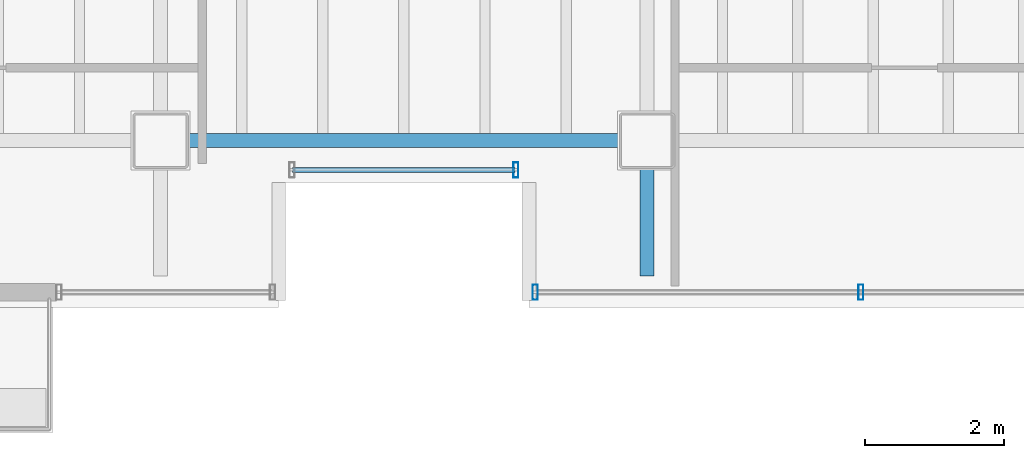
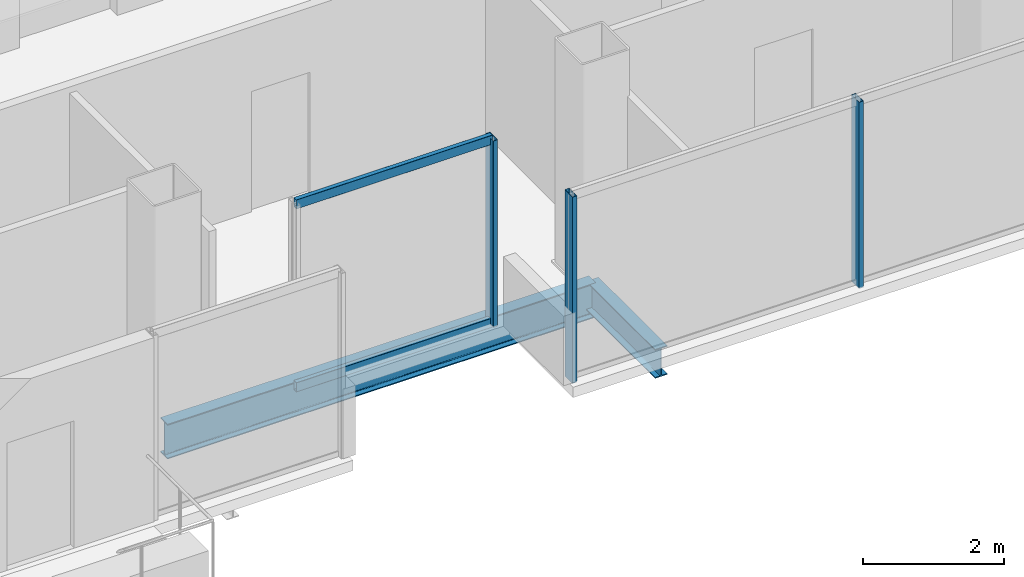
# One storey, part 5 of 16: 5 members, 2 beams, 2 elements without a shape of their own.
"""IFC4 building model written with IfcOpenShell, lengths in metres."""

from ifc_helpers import new_model, si_unit, direction, frame, origin, origin_2d, place, context, subcontext, project, spatial, hollow_rectangle, i_section, extrude, material, material_profile, profile_set, type_object, element, aggregate, save


model = new_model("IFC4")

# Units and contexts
model_context = context("Model", 3, precision=1e-05, world=origin(), true_north=direction((0.0, 1.0)))
body_context = subcontext(model_context, "Body", "Model", "MODEL_VIEW")
ifc_project = project(units=[si_unit("LENGTHUNIT", "METRE"), si_unit("AREAUNIT", "SQUARE_METRE"), si_unit("VOLUMEUNIT", "CUBIC_METRE"), si_unit("PLANEANGLEUNIT", "RADIAN"), si_unit("MASSUNIT", "GRAM", prefix="KILO")], contexts=[model_context])

# Site, building, storey
site_placement = place(None, origin())
site = spatial("IfcSite", under=ifc_project, at=site_placement, CompositionType="ELEMENT")
building_placement = place(site_placement, origin())
building = spatial("IfcBuilding", under=site, at=building_placement, Name="Noeulbin Bourse Tower", CompositionType="ELEMENT")
storey_placement = place(building_placement, frame((0.0, 0.0, 269.60009765625)))
storey = spatial("IfcBuildingStorey", under=building, at=storey_placement, Name="L67", CompositionType="ELEMENT", Elevation=269.60009765625)

# Beams
ifc_material_1 = material(Name="Steel S355", Category="steel")
ifc_material_profile_1 = material_profile(ifc_material_1, i_section(OverallWidth=0.199951171875, OverallDepth=0.5, WebThickness=0.010009765625, FlangeThickness=0.01611328125, FilletRadius=0.02001953125, at=origin_2d()), Name="H-500x200x10x16", Category="LoadBearing")
ifc_profile_set_1 = profile_set([ifc_material_profile_1], Name="Steel S355")
beam_type_1 = type_object("IfcBeamType", Name="BM-GRD-500", PredefinedType="USERDEFINED", material=ifc_profile_set_1)
beam_1_placement = place(storey_placement, frame((31.0, 18.050048828125, -0.43017578125), z_axis=(0.0, 1.0, 0.0), x_axis=(-1.0, 0.0, 0.0)))
element("IfcBeam", 1, at=beam_1_placement, inside=storey, type_object=beam_type_1, Name="Tower Primary Girder NS L67-3.1", ObjectType="GIRDER", PredefinedType="USERDEFINED", context=body_context, shape_type="SweptSolid", body=[
    extrude(i_section(OverallWidth=0.199951171875, OverallDepth=0.5, WebThickness=0.010009765625, FlangeThickness=0.01611328125, FilletRadius=0.02001953125, at=origin_2d()), origin(), (0.0, 0.0, 1.0), 1.949951171875),
])
ifc_material_profile_2 = material_profile(ifc_material_1, i_section(OverallWidth=0.199951171875, OverallDepth=0.60009765625, WebThickness=0.010986328125, FlangeThickness=0.01708984375, FilletRadius=0.02197265625, at=origin_2d()), Name="H-600x200x11x17", Category="LoadBearing")
ifc_profile_set_2 = profile_set([ifc_material_profile_2], Name="Steel S355")
beam_type_2 = type_object("IfcBeamType", Name="BM-GRD-600", PredefinedType="USERDEFINED", material=ifc_profile_set_2)
beam_2_placement = place(storey_placement, frame((24.0, 20.0, -0.47998046875), z_axis=(1.0, 0.0, 0.0), x_axis=(0.0, 1.0, 0.0)))
element("IfcBeam", 2, at=beam_2_placement, inside=storey, type_object=beam_type_2, Name="Tower Primary Girder EW L67-1.2", ObjectType="GIRDER", PredefinedType="USERDEFINED", context=body_context, shape_type="SweptSolid", body=[
    extrude(i_section(OverallWidth=0.199951171875, OverallDepth=0.60009765625, WebThickness=0.010986328125, FlangeThickness=0.01708984375, FilletRadius=0.02197265625, at=origin_2d()), origin(), (0.0, 0.0, 1.0), 7.0),
])

# Curtain wall, member
ifc_material_2 = material(Name="High-Selectivity Low-Iron Glazing", Category="glass")
curtain_wall_type = type_object("IfcCurtainWallType", Name="CW-SYS-4", PredefinedType="NOTDEFINED", material=ifc_material_2)
curtain_wall_1_placement = place(storey_placement, origin())
curtain_wall_1 = element("IfcCurtainWall", 3, at=curtain_wall_1_placement, inside=storey, type_object=curtain_wall_type, Name="Unitised Curtain Wall CW-L67-SREC", PredefinedType="NOTDEFINED")
ifc_material_3 = material(Name="Anodised Aluminium 6063-T6", Category="aluminium")
ifc_material_profile_3 = material_profile(ifc_material_3, hollow_rectangle(XDim=0.074951171875, YDim=0.219970703125, WallThickness=0.0048828125, InnerFilletRadius=0.00244140625, OuterFilletRadius=0.0048828125, at=origin_2d()), Name="ALU-MULL-75x220x5", Category="LoadBearing")
ifc_profile_set_3 = profile_set([ifc_material_profile_3], Name="Anodised Aluminium 6063-T6")
member_type_1 = type_object("IfcMemberType", Name="CW-SYS-4-MUL", PredefinedType="MULLION", material=ifc_profile_set_3)
member_1_placement = place(storey_placement, frame((29.110107421875, 19.580078125, -0.02001953125), z_axis=(0.0, 0.0, 1.0), x_axis=(1.0, 0.0, 0.0)))
member_1 = element("IfcMember", 4, at=member_1_placement, type_object=member_type_1, Name="Curtain Wall Mullion CW-L67-SREC-M01", PredefinedType="MULLION", context=body_context, shape_type="SweptSolid", body=[
    extrude(hollow_rectangle(XDim=0.074951171875, YDim=0.219970703125, WallThickness=0.0048828125, InnerFilletRadius=0.00244140625, OuterFilletRadius=0.0048828125, at=origin_2d()), origin(), (0.0, 0.0, 1.0), 3.219970703125),
])

# Curtain wall, members
curtain_wall_2_placement = place(storey_placement, origin())
curtain_wall_2 = element("IfcCurtainWall", 5, at=curtain_wall_2_placement, inside=storey, type_object=curtain_wall_type, Name="Unitised Curtain Wall CW-L67-S3", PredefinedType="NOTDEFINED")
member_2_placement = place(storey_placement, frame((29.389892578125, 17.820068359375, -0.02001953125), z_axis=(0.0, 0.0, 1.0), x_axis=(1.0, 0.0, 0.0)))
member_2 = element("IfcMember", 6, at=member_2_placement, type_object=member_type_1, Name="Curtain Wall Mullion CW-L67-S3-M00", PredefinedType="MULLION", context=body_context, shape_type="SweptSolid", body=[
    extrude(hollow_rectangle(XDim=0.074951171875, YDim=0.219970703125, WallThickness=0.0048828125, InnerFilletRadius=0.00244140625, OuterFilletRadius=0.0048828125, at=origin_2d()), origin(), (0.0, 0.0, 1.0), 3.219970703125),
])
member_3_placement = place(storey_placement, frame((34.0732421875, 17.820068359375, -0.02001953125), z_axis=(0.0, 0.0, 1.0), x_axis=(1.0, 0.0, 0.0)))
member_3 = element("IfcMember", 7, at=member_3_placement, type_object=member_type_1, Name="Curtain Wall Mullion CW-L67-S3-M01", PredefinedType="MULLION", context=body_context, shape_type="SweptSolid", body=[
    extrude(hollow_rectangle(XDim=0.074951171875, YDim=0.219970703125, WallThickness=0.0048828125, InnerFilletRadius=0.00244140625, OuterFilletRadius=0.0048828125, at=origin_2d()), origin(), (0.0, 0.0, 1.0), 3.219970703125),
])
aggregate(curtain_wall_2, [member_2, member_3])

# Member
ifc_material_profile_4 = material_profile(ifc_material_3, hollow_rectangle(XDim=0.074951171875, YDim=0.159912109375, WallThickness=0.0048828125, InnerFilletRadius=0.00244140625, OuterFilletRadius=0.0048828125, at=origin_2d()), Name="ALU-TRAN-75x160x5", Category="LoadBearing")
ifc_profile_set_4 = profile_set([ifc_material_profile_4], Name="Anodised Aluminium 6063-T6")
member_type_2 = type_object("IfcMemberType", Name="CW-SYS-4-TRN", PredefinedType="USERDEFINED", material=ifc_profile_set_4)
member_4_placement = place(storey_placement, frame((25.89990234375, 19.580078125, 0.010009765625), z_axis=(1.0, 0.0, 0.0), x_axis=(0.0, 1.0, 0.0)))
member_4 = element("IfcMember", 8, at=member_4_placement, type_object=member_type_2, Name="Curtain Wall Transom CW-L67-SREC-T00", ObjectType="TRANSOM", PredefinedType="USERDEFINED", context=body_context, shape_type="SweptSolid", body=[
    extrude(hollow_rectangle(XDim=0.074951171875, YDim=0.159912109375, WallThickness=0.0048828125, InnerFilletRadius=0.00244140625, OuterFilletRadius=0.0048828125, at=origin_2d()), origin(), (0.0, 0.0, 1.0), 3.2001953125),
])

member_5_placement = place(storey_placement, frame((25.89990234375, 19.580078125, 3.169921875), z_axis=(1.0, 0.0, 0.0), x_axis=(0.0, 1.0, 0.0)))
member_5 = element("IfcMember", 9, at=member_5_placement, type_object=member_type_2, Name="Curtain Wall Transom CW-L67-SREC-T01", ObjectType="TRANSOM", PredefinedType="USERDEFINED", context=body_context, shape_type="SweptSolid", body=[
    extrude(hollow_rectangle(XDim=0.074951171875, YDim=0.159912109375, WallThickness=0.0048828125, InnerFilletRadius=0.00244140625, OuterFilletRadius=0.0048828125, at=origin_2d()), origin(), (0.0, 0.0, 1.0), 3.2001953125),
])

aggregate(curtain_wall_1, [member_1, member_4, member_5])

save(model, "model.ifc")
